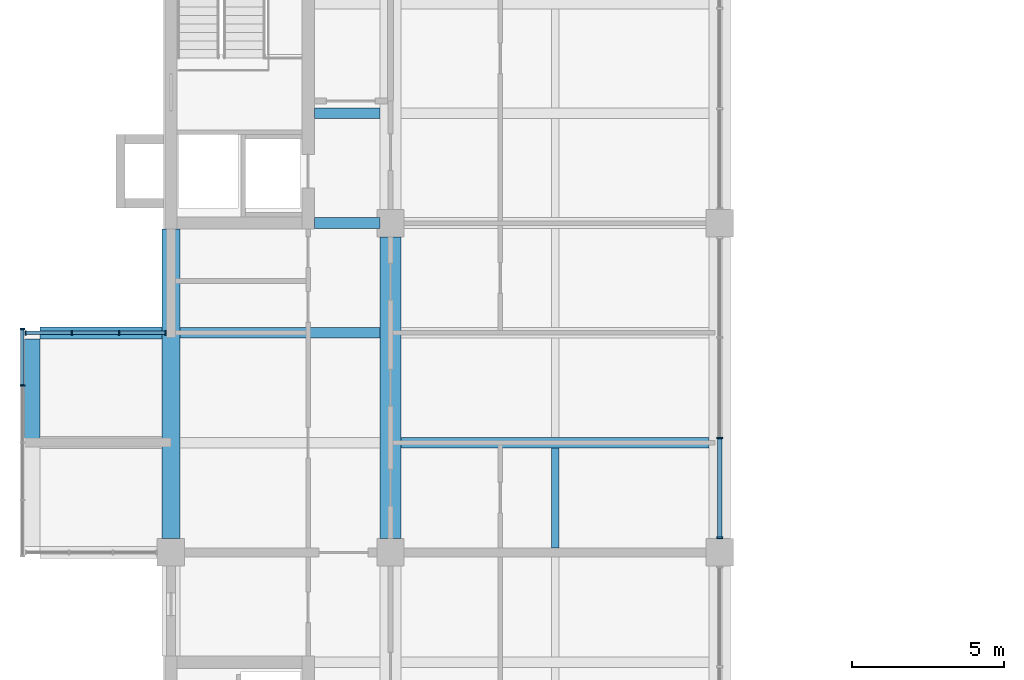
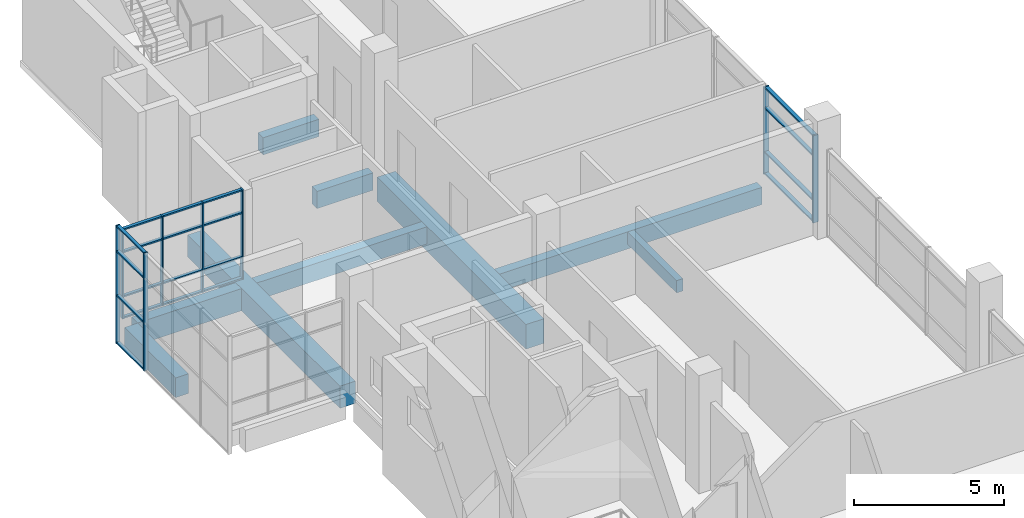
# One storey, part 8 of 23: 28 members, 9 beams, 3 elements without a shape of their own.
"""IFC4 building model written with IfcOpenShell, lengths in metres."""

import ifcopenshell
import ifcopenshell.guid

model = None  # the IFC model being written
_history = None  # IfcOwnerHistory: only IFC2X3 demands one
_inside = {}  # id of a spatial element -> (the spatial element, [elements in it])
_under = {}  # id of a project, library or spatial element -> (it, [spatial elements below it])
_declared = {}  # id of a project -> (the project, [libraries it declares])
_typed = {}  # id of a type object -> (the type object, [elements of that type])
_made_of = {}  # id of a material, layer set ... -> (it, [elements and type objects made of it])


def new_model(schema):
    """Start an empty IFC model of exactly this schema.

    Asked for "IFC4X3", IfcOpenShell would pick the latest addendum, in which some entities
    have other attributes; the version numbers below select the first issue.
    IFC2X3 requires an IfcOwnerHistory on every rooted entity: one is made here for all.
    """
    global model, _history
    if schema == "IFC4X3":
        model = ifcopenshell.file(schema_version=(4, 3, 0, 0))
    else:
        model = ifcopenshell.file(schema=schema)
    _inside.clear()
    _under.clear()
    _declared.clear()
    _typed.clear()
    _made_of.clear()
    _history = None
    if model.schema == "IFC2X3":
        org = make("IfcOrganization", Name="unknown")
        user = make(
            "IfcPersonAndOrganization",
            ThePerson=make("IfcPerson", FamilyName="unknown"),
            TheOrganization=org,
        )
        app = make(
            "IfcApplication",
            ApplicationDeveloper=org,
            Version="unknown",
            ApplicationFullName="unknown",
            ApplicationIdentifier="unknown",
        )
        _history = make(
            "IfcOwnerHistory",
            OwningUser=user,
            OwningApplication=app,
            ChangeAction="ADDED",
            CreationDate=0,
        )
    return model


def make(cls, **values):
    """One entity of the class cls with the attributes given. An attribute that is None is left unset."""
    return model.create_entity(
        cls, **{name: value for name, value in values.items() if value is not None}
    )


def rooted(cls, **values):
    """An entity with a GlobalId (a new one), such as an element, a storey or a relation."""
    return make(cls, GlobalId=ifcopenshell.guid.new(), OwnerHistory=_history, **values)


def si_unit(unit_type, name, prefix=None):
    """IfcSIUnit, for example si_unit("LENGTHUNIT", "METRE", prefix="MILLI")."""
    return make("IfcSIUnit", UnitType=unit_type, Prefix=prefix, Name=name)


def assignment(units):
    """IfcUnitAssignment: the units of a project."""
    return None if units is None else make("IfcUnitAssignment", Units=units)


def point(xyz):
    """IfcCartesianPoint."""
    return None if xyz is None else make("IfcCartesianPoint", Coordinates=xyz)


def direction(xyz):
    """IfcDirection."""
    return None if xyz is None else make("IfcDirection", DirectionRatios=xyz)


def frame(location, z_axis=None, x_axis=None):
    """IfcAxis2Placement3D, a coordinate frame: its origin and axes. An axis left out is left unset."""
    return make(
        "IfcAxis2Placement3D",
        Location=point(location),
        Axis=direction(z_axis),
        RefDirection=direction(x_axis),
    )


def frame_2d(location, x_axis=None):
    """IfcAxis2Placement2D, a coordinate frame in the plane: its origin and x axis."""
    return make(
        "IfcAxis2Placement2D", Location=point(location), RefDirection=direction(x_axis)
    )


def origin():
    """The frame at (0, 0, 0) with its axes left unset."""
    return frame((0.0, 0.0, 0.0))


def origin_2d():
    """The frame at (0, 0) in the plane with its x axis left unset."""
    return frame_2d((0.0, 0.0))


def place(relative_to, where):
    """IfcLocalPlacement: puts the frame where relative to a parent placement (None: the world)."""
    return make(
        "IfcLocalPlacement", PlacementRelTo=relative_to, RelativePlacement=where
    )


def context(
    kind, dimensions, precision=None, world=None, true_north=None, identifier=None
):
    """IfcGeometricRepresentationContext, for example the 3D "Model" context."""
    return make(
        "IfcGeometricRepresentationContext",
        ContextIdentifier=identifier,
        ContextType=kind,
        CoordinateSpaceDimension=dimensions,
        Precision=precision,
        WorldCoordinateSystem=world,
        TrueNorth=true_north,
    )


def subcontext(parent, identifier, kind, view, scale=None):
    """IfcGeometricRepresentationSubContext, for example "Body" below "Model"."""
    return make(
        "IfcGeometricRepresentationSubContext",
        ContextIdentifier=identifier,
        ContextType=kind,
        ParentContext=parent,
        TargetScale=scale,
        TargetView=view,
    )


def project(units=None, contexts=None):
    """IfcProject with its units and contexts."""
    return rooted(
        "IfcProject",
        Name="project",
        RepresentationContexts=contexts,
        UnitsInContext=assignment(units),
    )


def spatial(cls, under=None, at=None, **own):
    """A site, building, storey or space (cls), placed at a placement, below another one or the project."""
    s = rooted(cls, ObjectPlacement=at, **own)
    if under is not None:
        _under.setdefault(under.id(), (under, []))[1].append(s)
    return s


def profile(cls, at=None, kind="AREA", **sizes):
    """A parametric profile (cls). Its sizes go by their IFC names, for example OverallWidth=200.0."""
    return make(cls, ProfileType=kind, Position=at, **sizes)


def rectangle(**sizes):
    """IfcRectangleProfileDef."""
    return profile("IfcRectangleProfileDef", **sizes)


def extrude(swept, where, along, depth):
    """IfcExtrudedAreaSolid: the profile swept, set in the frame where, extruded along a direction by depth."""
    return make(
        "IfcExtrudedAreaSolid",
        SweptArea=swept,
        Position=where,
        ExtrudedDirection=direction(along),
        Depth=depth,
    )


def shape(context_of_items, identifier, shape_type, items):
    """IfcShapeRepresentation: the items that make up one representation, for example the "Body"."""
    return make(
        "IfcShapeRepresentation",
        ContextOfItems=context_of_items,
        RepresentationIdentifier=identifier,
        RepresentationType=shape_type,
        Items=items,
    )


def material(Name=None, Category=None):
    """IfcMaterial."""
    return make("IfcMaterial", Name=Name, Category=Category)


def layer(
    of_material, thickness, ventilated=None, Name=None, Category=None, Priority=None
):
    """IfcMaterialLayer: one layer of a wall or slab, of a material (None: an air gap)."""
    return make(
        "IfcMaterialLayer",
        Material=of_material,
        LayerThickness=thickness,
        IsVentilated=ventilated,
        Name=Name,
        Category=Category,
        Priority=Priority,
    )


def layer_set(layers, Name=None):
    """IfcMaterialLayerSet."""
    return make("IfcMaterialLayerSet", MaterialLayers=layers, LayerSetName=Name)


def material_profile(
    of_material, cross_section, Name=None, Category=None, Priority=None
):
    """IfcMaterialProfile: a cross section and its material."""
    return make(
        "IfcMaterialProfile",
        Name=Name,
        Material=of_material,
        Profile=cross_section,
        Priority=Priority,
        Category=Category,
    )


def profile_set(profiles, Name=None, composite=None):
    """IfcMaterialProfileSet."""
    return make(
        "IfcMaterialProfileSet",
        Name=Name,
        MaterialProfiles=profiles,
        CompositeProfile=composite,
    )


def made_of(thing, what):
    """Note that an element or type object is made of a material, layer set ...; save() writes the relation."""
    if what is not None:
        _made_of.setdefault(what.id(), (what, []))[1].append(thing)
    return thing


def type_object(cls, material=None, **own):
    """A type object (cls), such as IfcWallType, which elements share."""
    return made_of(rooted(cls, **own), material)


def element(
    cls,
    number,
    at=None,
    inside=None,
    cuts=None,
    type_object=None,
    material=None,
    context=None,
    identifier="Body",
    shape_type=None,
    held_by="IfcProductDefinitionShape",
    body=None,
    shapes=None,
    **own,
):
    """One element of the class cls, such as IfcWall. Its Tag is "e" and its number.

    at: its placement. inside: the storey or other place that contains it. cuts: it is an
    opening in that element (IfcRelVoidsElement). A single representation is given by context,
    identifier, shape_type and body (its items); several are given by shapes. held_by: the class
    of the entity that holds the representations. save() writes the other relations.
    """
    e = rooted(cls, Tag="e%d" % number, ObjectPlacement=at, **own)
    if body is not None:
        shapes = [shape(context, identifier, shape_type, body)]
    if shapes is not None:
        e.Representation = make(held_by, Representations=shapes)
    if inside is not None:
        _inside.setdefault(inside.id(), (inside, []))[1].append(e)
    if cuts is not None:
        rooted(
            "IfcRelVoidsElement", RelatingBuildingElement=cuts, RelatedOpeningElement=e
        )
    if type_object is not None:
        _typed.setdefault(type_object.id(), (type_object, []))[1].append(e)
    return made_of(e, material)


def aggregate(whole, parts):
    """IfcRelAggregates: a whole, such as a stair, and the parts it consists of."""
    return rooted("IfcRelAggregates", RelatingObject=whole, RelatedObjects=parts)


def save(model, path):
    """Write the relations noted so far, then the file.

    IfcRelAggregates (storeys below a building ...), IfcRelContainedInSpatialStructure (elements
    in a storey), IfcRelDefinesByType, IfcRelAssociatesMaterial and IfcRelDeclares: one each for
    every whole, place, type object, material and project.
    """
    for whole, parts in _under.values():
        aggregate(whole, parts)
    for where, things in _inside.values():
        rooted(
            "IfcRelContainedInSpatialStructure",
            RelatedElements=things,
            RelatingStructure=where,
        )
    for kind, things in _typed.values():
        rooted("IfcRelDefinesByType", RelatedObjects=things, RelatingType=kind)
    for what, things in _made_of.values():
        rooted("IfcRelAssociatesMaterial", RelatedObjects=things, RelatingMaterial=what)
    for by, libraries in _declared.values():
        rooted("IfcRelDeclares", RelatingContext=by, RelatedDefinitions=libraries)
    model.write(path)


model = new_model("IFC4")

# Units and contexts
model_context = context("Model", 3, precision=1e-05, world=origin(), true_north=direction((0.0, 1.0)))
body_context = subcontext(model_context, "Body", "Model", "MODEL_VIEW")
ifc_project = project(units=[si_unit("LENGTHUNIT", "METRE"), si_unit("AREAUNIT", "SQUARE_METRE"), si_unit("VOLUMEUNIT", "CUBIC_METRE"), si_unit("PLANEANGLEUNIT", "RADIAN"), si_unit("MASSUNIT", "GRAM", prefix="KILO")], contexts=[model_context])

# Site, building, storey
site_placement = place(None, origin())
site = spatial("IfcSite", under=ifc_project, at=site_placement, CompositionType="ELEMENT")
building_placement = place(site_placement, origin())
building = spatial("IfcBuilding", under=site, at=building_placement, Name="Basin Gate Institute", CompositionType="ELEMENT")
storey_placement = place(building_placement, frame((0.0, 0.0, 46.199951171875)))
storey = spatial("IfcBuildingStorey", under=building, at=storey_placement, Name="L09", CompositionType="ELEMENT", Elevation=46.199951171875)

# Beams
ifc_material_1 = material(Name="Concrete 40 MPa", Category="concrete")
ifc_material_profile_1 = material_profile(ifc_material_1, rectangle(XDim=0.35009765625, YDim=0.699951171875, at=origin_2d()), Name="Beam B1 350 x 700")
ifc_profile_set_1 = profile_set([ifc_material_profile_1], Name="Concrete 40 MPa")
beam_type_1 = type_object("IfcBeamType", Name="Beam B1 R120", PredefinedType="BEAM", material=ifc_profile_set_1)
beam_1_placement = place(storey_placement, frame((68.75, 81.89990234375, -0.599853515625), z_axis=(1.0, 0.0, 0.0), x_axis=(0.0, 1.0, 0.0)))
element("IfcBeam", 1, at=beam_1_placement, inside=storey, type_object=beam_type_1, material=ifc_profile_set_1, Name="BEAM/L09/W/EW/14", PredefinedType="BEAM", context=body_context, shape_type="SweptSolid", body=[
    extrude(rectangle(XDim=0.35009765625, YDim=0.699951171875, at=origin_2d()), origin(), (0.0, 0.0, 1.0), 10.10009765625),
])
beam_2_placement = place(storey_placement, frame((61.5, 85.5, -0.599853515625), z_axis=(1.0, 0.0, 0.0), x_axis=(0.0, 1.0, 0.0)))
element("IfcBeam", 2, at=beam_2_placement, inside=storey, type_object=beam_type_1, material=ifc_profile_set_1, Name="BEAM/L09/W/OUT/15", PredefinedType="BEAM", context=body_context, shape_type="SweptSolid", body=[
    extrude(rectangle(XDim=0.35009765625, YDim=0.699951171875, at=origin_2d()), origin(), (0.0, 0.0, 1.0), 6.550048828125),
])
for number, where, z_axis, x_axis, name in (
    (3, (65.89990234375, 89.10009765625, -0.599853515625), (1.0, 0.0, 0.0), (0.0, 1.0, 0.0), "BEAM/L09/W/CORR/16"),
    (4, (65.89990234375, 92.699951171875, -0.599853515625), (1.0, 0.0, 0.0), (0.0, 1.0, 0.0), "BEAM/L09/W/CORR/17"),
):
    element("IfcBeam", number, at=place(storey_placement, frame(where, z_axis=z_axis, x_axis=x_axis)), inside=storey, type_object=beam_type_1, material=ifc_profile_set_1, Name=name, PredefinedType="BEAM", context=body_context, shape_type="SweptSolid", body=[
        extrude(rectangle(XDim=0.35009765625, YDim=0.699951171875, at=origin_2d()), origin(), (0.0, 0.0, 1.0), 2.150146484375),
    ])
ifc_material_2 = material(Name="Concrete 50 MPa", Category="concrete")
ifc_material_profile_2 = material_profile(ifc_material_2, rectangle(XDim=0.39990234375, YDim=0.89990234375, at=origin_2d()), Name="Cantilever beam B3 400 x 900")
ifc_profile_set_2 = profile_set([ifc_material_profile_2], Name="Concrete 50 MPa")
beam_type_2 = type_object("IfcBeamType", Name="Cantilever beam B3 R120", PredefinedType="BEAM", material=ifc_profile_set_2)
beam_3_placement = place(storey_placement, frame((56.89990234375, 85.5, -0.699951171875), z_axis=(1.0, 0.0, 0.0), x_axis=(0.0, 1.0, 0.0)))
element("IfcBeam", 5, at=beam_3_placement, inside=storey, type_object=beam_type_2, material=ifc_profile_set_2, Name="BEAM/L09/W/CANT/15", PredefinedType="BEAM", context=body_context, shape_type="SweptSolid", body=[
    extrude(rectangle(XDim=0.39990234375, YDim=0.89990234375, at=origin_2d()), origin(), (0.0, 0.0, 1.0), 4.0),
])
ifc_material_3 = material(Name="Concrete 50 MPa", Category="concrete")
ifc_material_profile_3 = material_profile(ifc_material_3, rectangle(XDim=0.60009765625, YDim=0.89990234375, at=origin_2d()), Name="Edge beam EB1 600 x 900")
ifc_profile_set_3 = profile_set([ifc_material_profile_3], Name="Concrete 50 MPa")
beam_type_3 = type_object("IfcBeamType", Name="Edge beam EB1 R120", PredefinedType="SPANDREL", material=ifc_profile_set_3)
beam_4_placement = place(storey_placement, frame((61.199951171875, 78.75, -0.699951171875), z_axis=(0.0, 1.0, 0.0), x_axis=(-1.0, 0.0, 0.0)))
element("IfcBeam", 6, at=beam_4_placement, inside=storey, type_object=beam_type_3, material=ifc_profile_set_3, Name="BEAM/L09/W/EDGE/4", PredefinedType="SPANDREL", context=body_context, shape_type="SweptSolid", body=[
    extrude(rectangle(XDim=0.60009765625, YDim=0.89990234375, at=origin_2d()), origin(), (0.0, 0.0, 1.0), 10.14990234375),
])
ifc_material_4 = material(Name="Concrete 50 MPa", Category="concrete")
ifc_material_profile_4 = material_profile(ifc_material_4, rectangle(XDim=0.699951171875, YDim=1.0, at=origin_2d()), Name="Girder G1 700 x 1000")
ifc_profile_set_4 = profile_set([ifc_material_profile_4], Name="Concrete 50 MPa")
beam_type_4 = type_object("IfcBeamType", Name="Girder G1 R120", PredefinedType="BEAM", material=ifc_profile_set_4)
beam_5_placement = place(storey_placement, frame((68.39990234375, 78.75, -0.75), z_axis=(0.0, 1.0, 0.0), x_axis=(-1.0, 0.0, 0.0)))
element("IfcBeam", 7, at=beam_5_placement, inside=storey, type_object=beam_type_4, material=ifc_profile_set_4, Name="GIR/L09/W5/5", PredefinedType="BEAM", context=body_context, shape_type="SweptSolid", body=[
    extrude(rectangle(XDim=0.699951171875, YDim=1.0, at=origin_2d()), origin(), (0.0, 0.0, 1.0), 9.89990234375),
])

# Curtain wall, members
ifc_material_5 = material(Name="Aluminium-framed glazing", Category="aluminium")
ifc_layer_1 = layer(ifc_material_5, 0.14990234375)
ifc_layer_set_1 = layer_set([ifc_layer_1], Name="Capsule front curtain wall CW1")
curtain_wall_type_1 = type_object("IfcCurtainWallType", Name="Capsule front curtain wall CW1", PredefinedType="NOTDEFINED", material=ifc_layer_set_1)
curtain_wall_1_placement = place(storey_placement, origin())
curtain_wall_1 = element("IfcCurtainWall", 8, at=curtain_wall_1_placement, inside=storey, type_object=curtain_wall_type_1, material=ifc_layer_set_1, Name="Capsule front curtain wall W wing capsule end L09 line 15", PredefinedType="NOTDEFINED")
ifc_material_6 = material(Name="Aluminium", Category="aluminium")
ifc_material_profile_5 = material_profile(ifc_material_6, rectangle(XDim=0.14990234375, YDim=0.050048828125, at=origin_2d()), Name="Mullion MU1 150 x 50")
ifc_profile_set_5 = profile_set([ifc_material_profile_5], Name="Aluminium")
member_type_1 = type_object("IfcMemberType", Name="Mullion MU1", PredefinedType="MULLION", material=ifc_profile_set_5)
member_1_placement = place(storey_placement, frame((56.425048828125, 85.5, 0.0), z_axis=(0.0, 0.0, 1.0), x_axis=(0.0, 1.0, 0.0)))
member_1 = element("IfcMember", 9, at=member_1_placement, type_object=member_type_1, material=ifc_profile_set_5, Name="CW1 mullion 1", PredefinedType="MULLION", context=body_context, shape_type="SweptSolid", body=[
    extrude(rectangle(XDim=0.14990234375, YDim=0.050048828125, at=origin_2d()), origin(), (0.0, 0.0, 1.0), 3.650146484375),
])
member_2_placement = place(storey_placement, frame((57.949951171875, 85.5, 0.0), z_axis=(0.0, 0.0, 1.0), x_axis=(0.0, 1.0, 0.0)))
member_2 = element("IfcMember", 10, at=member_2_placement, type_object=member_type_1, material=ifc_profile_set_5, Name="CW1 mullion 2", PredefinedType="MULLION", context=body_context, shape_type="SweptSolid", body=[
    extrude(rectangle(XDim=0.14990234375, YDim=0.050048828125, at=origin_2d()), origin(), (0.0, 0.0, 1.0), 3.650146484375),
])
member_3_placement = place(storey_placement, frame((59.5, 85.5, 0.0), z_axis=(0.0, 0.0, 1.0), x_axis=(0.0, 1.0, 0.0)))
member_3 = element("IfcMember", 11, at=member_3_placement, type_object=member_type_1, material=ifc_profile_set_5, Name="CW1 mullion 3", PredefinedType="MULLION", context=body_context, shape_type="SweptSolid", body=[
    extrude(rectangle(XDim=0.14990234375, YDim=0.050048828125, at=origin_2d()), origin(), (0.0, 0.0, 1.0), 3.650146484375),
])
member_4_placement = place(storey_placement, frame((61.02490234375, 85.5, 0.0), z_axis=(0.0, 0.0, 1.0), x_axis=(0.0, 1.0, 0.0)))
member_4 = element("IfcMember", 12, at=member_4_placement, type_object=member_type_1, material=ifc_profile_set_5, Name="CW1 mullion 4", PredefinedType="MULLION", context=body_context, shape_type="SweptSolid", body=[
    extrude(rectangle(XDim=0.14990234375, YDim=0.050048828125, at=origin_2d()), origin(), (0.0, 0.0, 1.0), 3.650146484375),
])

curtain_wall_2_placement = place(storey_placement, origin())
curtain_wall_2 = element("IfcCurtainWall", 13, at=curtain_wall_2_placement, inside=storey, type_object=curtain_wall_type_1, material=ifc_layer_set_1, Name="Capsule front curtain wall W wing capsule 2 L09 front 2", PredefinedType="NOTDEFINED")
member_5_placement = place(storey_placement, frame((56.324951171875, 83.77490234375, -1.050048828125), z_axis=(0.0, 0.0, 1.0), x_axis=(-1.0, 0.0, 0.0)))
member_5 = element("IfcMember", 14, at=member_5_placement, type_object=member_type_1, material=ifc_profile_set_5, Name="CW1 mullion 4", PredefinedType="MULLION", context=body_context, shape_type="SweptSolid", body=[
    extrude(rectangle(XDim=0.14990234375, YDim=0.050048828125, at=origin_2d()), origin(), (0.0, 0.0, 1.0), 4.800048828125),
])
member_6_placement = place(storey_placement, frame((56.324951171875, 85.625, -1.050048828125), z_axis=(0.0, 0.0, 1.0), x_axis=(-1.0, 0.0, 0.0)))
member_6 = element("IfcMember", 15, at=member_6_placement, type_object=member_type_1, material=ifc_profile_set_5, Name="CW1 mullion 5", PredefinedType="MULLION", context=body_context, shape_type="SweptSolid", body=[
    extrude(rectangle(XDim=0.14990234375, YDim=0.050048828125, at=origin_2d()), origin(), (0.0, 0.0, 1.0), 4.800048828125),
])

ifc_material_7 = material(Name="Aluminium-framed glazing", Category="aluminium")
ifc_layer_2 = layer(ifc_material_7, 0.199951171875)
ifc_layer_set_2 = layer_set([ifc_layer_2], Name="Atrium curtain wall CW2")
curtain_wall_type_2 = type_object("IfcCurtainWallType", Name="Atrium curtain wall CW2", PredefinedType="NOTDEFINED", material=ifc_layer_set_2)
curtain_wall_3_placement = place(storey_placement, origin())
curtain_wall_3 = element("IfcCurtainWall", 16, at=curtain_wall_3_placement, inside=storey, type_object=curtain_wall_type_2, material=ifc_layer_set_2, Name="Atrium curtain wall W wing atrium bay 5 L09", PredefinedType="NOTDEFINED")
ifc_material_8 = material(Name="Aluminium", Category="aluminium")
ifc_material_profile_6 = material_profile(ifc_material_8, rectangle(XDim=0.199951171875, YDim=0.06005859375, at=origin_2d()), Name="Mullion MU2 200 x 60")
ifc_profile_set_6 = profile_set([ifc_material_profile_6], Name="Aluminium")
member_type_2 = type_object("IfcMemberType", Name="Mullion MU2", PredefinedType="MULLION", material=ifc_profile_set_6)
member_7_placement = place(storey_placement, frame((79.199951171875, 78.780029296875, 0.0), z_axis=(0.0, 0.0, 1.0), x_axis=(-1.0, 0.0, 0.0)))
member_7 = element("IfcMember", 17, at=member_7_placement, type_object=member_type_2, material=ifc_profile_set_6, Name="CW2 mullion 1", PredefinedType="MULLION", context=body_context, shape_type="SweptSolid", body=[
    extrude(rectangle(XDim=0.199951171875, YDim=0.06005859375, at=origin_2d()), origin(), (0.0, 0.0, 1.0), 3.550048828125),
])
member_8_placement = place(storey_placement, frame((79.199951171875, 82.050048828125, 0.0), z_axis=(0.0, 0.0, 1.0), x_axis=(-1.0, 0.0, 0.0)))
member_8 = element("IfcMember", 18, at=member_8_placement, type_object=member_type_2, material=ifc_profile_set_6, Name="CW2 mullion 2", PredefinedType="MULLION", context=body_context, shape_type="SweptSolid", body=[
    extrude(rectangle(XDim=0.199951171875, YDim=0.06005859375, at=origin_2d()), origin(), (0.0, 0.0, 1.0), 3.550048828125),
])

# Beams
ifc_material_9 = material(Name="Concrete 40 MPa", Category="concrete")
ifc_material_profile_7 = material_profile(ifc_material_9, rectangle(XDim=0.25, YDim=0.5, at=origin_2d()), Name="Rib R1 250 x 500")
ifc_profile_set_7 = profile_set([ifc_material_profile_7], Name="Concrete 40 MPa")
beam_type_5 = type_object("IfcBeamType", Name="Rib R1 R120", PredefinedType="JOIST", material=ifc_profile_set_7)
beam_6_placement = place(storey_placement, frame((73.800048828125, 78.449951171875, -0.5), z_axis=(0.0, 1.0, 0.0), x_axis=(-1.0, 0.0, 0.0)))
element("IfcBeam", 19, at=beam_6_placement, inside=storey, type_object=beam_type_5, material=ifc_profile_set_7, Name="BEAM/L09/W/RIB/13", PredefinedType="JOIST", context=body_context, shape_type="SweptSolid", body=[
    extrude(rectangle(XDim=0.25, YDim=0.5, at=origin_2d()), origin(), (0.0, 0.0, 1.0), 3.275146484375),
])
ifc_material_10 = material(Name="Concrete 50 MPa", Category="concrete")
ifc_material_profile_8 = material_profile(ifc_material_10, rectangle(XDim=0.5, YDim=0.800048828125, at=origin_2d()), Name="Tip beam TB1 500 x 800")
ifc_profile_set_8 = profile_set([ifc_material_profile_8], Name="Concrete 50 MPa")
beam_type_6 = type_object("IfcBeamType", Name="Tip beam TB1 R120", PredefinedType="SPANDREL", material=ifc_profile_set_8)
beam_7_placement = place(storey_placement, frame((56.64990234375, 81.89990234375, -0.64990234375), z_axis=(0.0, 1.0, 0.0), x_axis=(-1.0, 0.0, 0.0)))
element("IfcBeam", 20, at=beam_7_placement, inside=storey, type_object=beam_type_6, material=ifc_profile_set_8, Name="BEAM/L09/W/TIP/7", PredefinedType="SPANDREL", context=body_context, shape_type="SweptSolid", body=[
    extrude(rectangle(XDim=0.5, YDim=0.800048828125, at=origin_2d()), origin(), (0.0, 0.0, 1.0), 3.400146484375),
])

# Member
ifc_material_11 = material(Name="Aluminium", Category="aluminium")
ifc_material_profile_9 = material_profile(ifc_material_11, rectangle(XDim=0.1201171875, YDim=0.06005859375, at=origin_2d()), Name="Transom TR1 120 x 60")
ifc_profile_set_9 = profile_set([ifc_material_profile_9], Name="Aluminium")
member_type_3 = type_object("IfcMemberType", Name="Transom TR1", PredefinedType="USERDEFINED", material=ifc_profile_set_9)
member_9_placement = place(storey_placement, frame((56.449951171875, 85.5, 0.030029296875), z_axis=(1.0, 0.0, 0.0), x_axis=(0.0, 1.0, 0.0)))
member_9 = element("IfcMember", 21, at=member_9_placement, type_object=member_type_3, material=ifc_profile_set_9, Name="CW1 transom 1.1", ObjectType="TRANSOM", PredefinedType="USERDEFINED", context=body_context, shape_type="SweptSolid", body=[
    extrude(rectangle(XDim=0.1201171875, YDim=0.06005859375, at=origin_2d()), origin(), (0.0, 0.0, 1.0), 1.47509765625),
])

member_10_placement = place(storey_placement, frame((56.449951171875, 85.5, 0.900146484375), z_axis=(1.0, 0.0, 0.0), x_axis=(0.0, 1.0, 0.0)))
member_10 = element("IfcMember", 22, at=member_10_placement, type_object=member_type_3, material=ifc_profile_set_9, Name="CW1 transom 1.2", ObjectType="TRANSOM", PredefinedType="USERDEFINED", context=body_context, shape_type="SweptSolid", body=[
    extrude(rectangle(XDim=0.1201171875, YDim=0.06005859375, at=origin_2d()), origin(), (0.0, 0.0, 1.0), 1.47509765625),
])

member_11_placement = place(storey_placement, frame((56.449951171875, 85.5, 2.699951171875), z_axis=(1.0, 0.0, 0.0), x_axis=(0.0, 1.0, 0.0)))
member_11 = element("IfcMember", 23, at=member_11_placement, type_object=member_type_3, material=ifc_profile_set_9, Name="CW1 transom 1.3", ObjectType="TRANSOM", PredefinedType="USERDEFINED", context=body_context, shape_type="SweptSolid", body=[
    extrude(rectangle(XDim=0.1201171875, YDim=0.06005859375, at=origin_2d()), origin(), (0.0, 0.0, 1.0), 1.47509765625),
])

member_12_placement = place(storey_placement, frame((56.449951171875, 85.5, 3.6201171875), z_axis=(1.0, 0.0, 0.0), x_axis=(0.0, 1.0, 0.0)))
member_12 = element("IfcMember", 24, at=member_12_placement, type_object=member_type_3, material=ifc_profile_set_9, Name="CW1 transom 1.4", ObjectType="TRANSOM", PredefinedType="USERDEFINED", context=body_context, shape_type="SweptSolid", body=[
    extrude(rectangle(XDim=0.1201171875, YDim=0.06005859375, at=origin_2d()), origin(), (0.0, 0.0, 1.0), 1.47509765625),
])

member_13_placement = place(storey_placement, frame((57.97509765625, 85.5, 0.030029296875), z_axis=(1.0, 0.0, 0.0), x_axis=(0.0, 1.0, 0.0)))
member_13 = element("IfcMember", 25, at=member_13_placement, type_object=member_type_3, material=ifc_profile_set_9, Name="CW1 transom 2.1", ObjectType="TRANSOM", PredefinedType="USERDEFINED", context=body_context, shape_type="SweptSolid", body=[
    extrude(rectangle(XDim=0.1201171875, YDim=0.06005859375, at=origin_2d()), origin(), (0.0, 0.0, 1.0), 1.5),
])

member_14_placement = place(storey_placement, frame((57.97509765625, 85.5, 0.900146484375), z_axis=(1.0, 0.0, 0.0), x_axis=(0.0, 1.0, 0.0)))
member_14 = element("IfcMember", 26, at=member_14_placement, type_object=member_type_3, material=ifc_profile_set_9, Name="CW1 transom 2.2", ObjectType="TRANSOM", PredefinedType="USERDEFINED", context=body_context, shape_type="SweptSolid", body=[
    extrude(rectangle(XDim=0.1201171875, YDim=0.06005859375, at=origin_2d()), origin(), (0.0, 0.0, 1.0), 1.5),
])

member_15_placement = place(storey_placement, frame((57.97509765625, 85.5, 2.699951171875), z_axis=(1.0, 0.0, 0.0), x_axis=(0.0, 1.0, 0.0)))
member_15 = element("IfcMember", 27, at=member_15_placement, type_object=member_type_3, material=ifc_profile_set_9, Name="CW1 transom 2.3", ObjectType="TRANSOM", PredefinedType="USERDEFINED", context=body_context, shape_type="SweptSolid", body=[
    extrude(rectangle(XDim=0.1201171875, YDim=0.06005859375, at=origin_2d()), origin(), (0.0, 0.0, 1.0), 1.5),
])

member_16_placement = place(storey_placement, frame((57.97509765625, 85.5, 3.6201171875), z_axis=(1.0, 0.0, 0.0), x_axis=(0.0, 1.0, 0.0)))
member_16 = element("IfcMember", 28, at=member_16_placement, type_object=member_type_3, material=ifc_profile_set_9, Name="CW1 transom 2.4", ObjectType="TRANSOM", PredefinedType="USERDEFINED", context=body_context, shape_type="SweptSolid", body=[
    extrude(rectangle(XDim=0.1201171875, YDim=0.06005859375, at=origin_2d()), origin(), (0.0, 0.0, 1.0), 1.5),
])

member_17_placement = place(storey_placement, frame((59.52490234375, 85.5, 0.030029296875), z_axis=(1.0, 0.0, 0.0), x_axis=(0.0, 1.0, 0.0)))
member_17 = element("IfcMember", 29, at=member_17_placement, type_object=member_type_3, material=ifc_profile_set_9, Name="CW1 transom 3.1", ObjectType="TRANSOM", PredefinedType="USERDEFINED", context=body_context, shape_type="SweptSolid", body=[
    extrude(rectangle(XDim=0.1201171875, YDim=0.06005859375, at=origin_2d()), origin(), (0.0, 0.0, 1.0), 1.47509765625),
])

member_18_placement = place(storey_placement, frame((59.52490234375, 85.5, 0.900146484375), z_axis=(1.0, 0.0, 0.0), x_axis=(0.0, 1.0, 0.0)))
member_18 = element("IfcMember", 30, at=member_18_placement, type_object=member_type_3, material=ifc_profile_set_9, Name="CW1 transom 3.2", ObjectType="TRANSOM", PredefinedType="USERDEFINED", context=body_context, shape_type="SweptSolid", body=[
    extrude(rectangle(XDim=0.1201171875, YDim=0.06005859375, at=origin_2d()), origin(), (0.0, 0.0, 1.0), 1.47509765625),
])

member_19_placement = place(storey_placement, frame((59.52490234375, 85.5, 2.699951171875), z_axis=(1.0, 0.0, 0.0), x_axis=(0.0, 1.0, 0.0)))
member_19 = element("IfcMember", 31, at=member_19_placement, type_object=member_type_3, material=ifc_profile_set_9, Name="CW1 transom 3.3", ObjectType="TRANSOM", PredefinedType="USERDEFINED", context=body_context, shape_type="SweptSolid", body=[
    extrude(rectangle(XDim=0.1201171875, YDim=0.06005859375, at=origin_2d()), origin(), (0.0, 0.0, 1.0), 1.47509765625),
])

member_20_placement = place(storey_placement, frame((59.52490234375, 85.5, 3.6201171875), z_axis=(1.0, 0.0, 0.0), x_axis=(0.0, 1.0, 0.0)))
member_20 = element("IfcMember", 32, at=member_20_placement, type_object=member_type_3, material=ifc_profile_set_9, Name="CW1 transom 3.4", ObjectType="TRANSOM", PredefinedType="USERDEFINED", context=body_context, shape_type="SweptSolid", body=[
    extrude(rectangle(XDim=0.1201171875, YDim=0.06005859375, at=origin_2d()), origin(), (0.0, 0.0, 1.0), 1.47509765625),
])

aggregate(curtain_wall_1, [member_1, member_2, member_3, member_4, member_9, member_10, member_11, member_12, member_13, member_14, member_15, member_16, member_17, member_18, member_19, member_20])

member_21_placement = place(storey_placement, frame((56.324951171875, 83.800048828125, -1.02001953125), z_axis=(0.0, 1.0, 0.0), x_axis=(-1.0, 0.0, 0.0)))
member_21 = element("IfcMember", 33, at=member_21_placement, type_object=member_type_3, material=ifc_profile_set_9, Name="CW1 transom 4.1", ObjectType="TRANSOM", PredefinedType="USERDEFINED", context=body_context, shape_type="SweptSolid", body=[
    extrude(rectangle(XDim=0.1201171875, YDim=0.06005859375, at=origin_2d()), origin(), (0.0, 0.0, 1.0), 1.800048828125),
])

member_22_placement = place(storey_placement, frame((56.324951171875, 83.800048828125, 0.900146484375), z_axis=(0.0, 1.0, 0.0), x_axis=(-1.0, 0.0, 0.0)))
member_22 = element("IfcMember", 34, at=member_22_placement, type_object=member_type_3, material=ifc_profile_set_9, Name="CW1 transom 4.2", ObjectType="TRANSOM", PredefinedType="USERDEFINED", context=body_context, shape_type="SweptSolid", body=[
    extrude(rectangle(XDim=0.1201171875, YDim=0.06005859375, at=origin_2d()), origin(), (0.0, 0.0, 1.0), 1.800048828125),
])

member_23_placement = place(storey_placement, frame((56.324951171875, 83.800048828125, 2.699951171875), z_axis=(0.0, 1.0, 0.0), x_axis=(-1.0, 0.0, 0.0)))
member_23 = element("IfcMember", 35, at=member_23_placement, type_object=member_type_3, material=ifc_profile_set_9, Name="CW1 transom 4.3", ObjectType="TRANSOM", PredefinedType="USERDEFINED", context=body_context, shape_type="SweptSolid", body=[
    extrude(rectangle(XDim=0.1201171875, YDim=0.06005859375, at=origin_2d()), origin(), (0.0, 0.0, 1.0), 1.800048828125),
])

member_24_placement = place(storey_placement, frame((56.324951171875, 83.800048828125, 3.719970703125), z_axis=(0.0, 1.0, 0.0), x_axis=(-1.0, 0.0, 0.0)))
member_24 = element("IfcMember", 36, at=member_24_placement, type_object=member_type_3, material=ifc_profile_set_9, Name="CW1 transom 4.4", ObjectType="TRANSOM", PredefinedType="USERDEFINED", context=body_context, shape_type="SweptSolid", body=[
    extrude(rectangle(XDim=0.1201171875, YDim=0.06005859375, at=origin_2d()), origin(), (0.0, 0.0, 1.0), 1.800048828125),
])

aggregate(curtain_wall_2, [member_5, member_6, member_21, member_22, member_23, member_24])

ifc_material_12 = material(Name="Aluminium", Category="aluminium")
ifc_material_profile_10 = material_profile(ifc_material_12, rectangle(XDim=0.14990234375, YDim=0.06005859375, at=origin_2d()), Name="Transom TR2 150 x 60")
ifc_profile_set_10 = profile_set([ifc_material_profile_10], Name="Aluminium")
member_type_4 = type_object("IfcMemberType", Name="Transom TR2", PredefinedType="USERDEFINED", material=ifc_profile_set_10)
member_25_placement = place(storey_placement, frame((79.199951171875, 78.81005859375, 0.030029296875), z_axis=(0.0, 1.0, 0.0), x_axis=(-1.0, 0.0, 0.0)))
member_25 = element("IfcMember", 37, at=member_25_placement, type_object=member_type_4, material=ifc_profile_set_10, Name="CW2 transom 1.1", ObjectType="TRANSOM", PredefinedType="USERDEFINED", context=body_context, shape_type="SweptSolid", body=[
    extrude(rectangle(XDim=0.14990234375, YDim=0.06005859375, at=origin_2d()), origin(), (0.0, 0.0, 1.0), 3.2099609375),
])

member_26_placement = place(storey_placement, frame((79.199951171875, 78.81005859375, 0.900146484375), z_axis=(0.0, 1.0, 0.0), x_axis=(-1.0, 0.0, 0.0)))
member_26 = element("IfcMember", 38, at=member_26_placement, type_object=member_type_4, material=ifc_profile_set_10, Name="CW2 transom 1.2", ObjectType="TRANSOM", PredefinedType="USERDEFINED", context=body_context, shape_type="SweptSolid", body=[
    extrude(rectangle(XDim=0.14990234375, YDim=0.06005859375, at=origin_2d()), origin(), (0.0, 0.0, 1.0), 3.2099609375),
])

member_27_placement = place(storey_placement, frame((79.199951171875, 78.81005859375, 2.699951171875), z_axis=(0.0, 1.0, 0.0), x_axis=(-1.0, 0.0, 0.0)))
member_27 = element("IfcMember", 39, at=member_27_placement, type_object=member_type_4, material=ifc_profile_set_10, Name="CW2 transom 1.3", ObjectType="TRANSOM", PredefinedType="USERDEFINED", context=body_context, shape_type="SweptSolid", body=[
    extrude(rectangle(XDim=0.14990234375, YDim=0.06005859375, at=origin_2d()), origin(), (0.0, 0.0, 1.0), 3.2099609375),
])

member_28_placement = place(storey_placement, frame((79.199951171875, 78.81005859375, 3.52001953125), z_axis=(0.0, 1.0, 0.0), x_axis=(-1.0, 0.0, 0.0)))
member_28 = element("IfcMember", 40, at=member_28_placement, type_object=member_type_4, material=ifc_profile_set_10, Name="CW2 transom 1.4", ObjectType="TRANSOM", PredefinedType="USERDEFINED", context=body_context, shape_type="SweptSolid", body=[
    extrude(rectangle(XDim=0.14990234375, YDim=0.06005859375, at=origin_2d()), origin(), (0.0, 0.0, 1.0), 3.2099609375),
])

aggregate(curtain_wall_3, [member_7, member_8, member_25, member_26, member_27, member_28])

save(model, "model.ifc")
